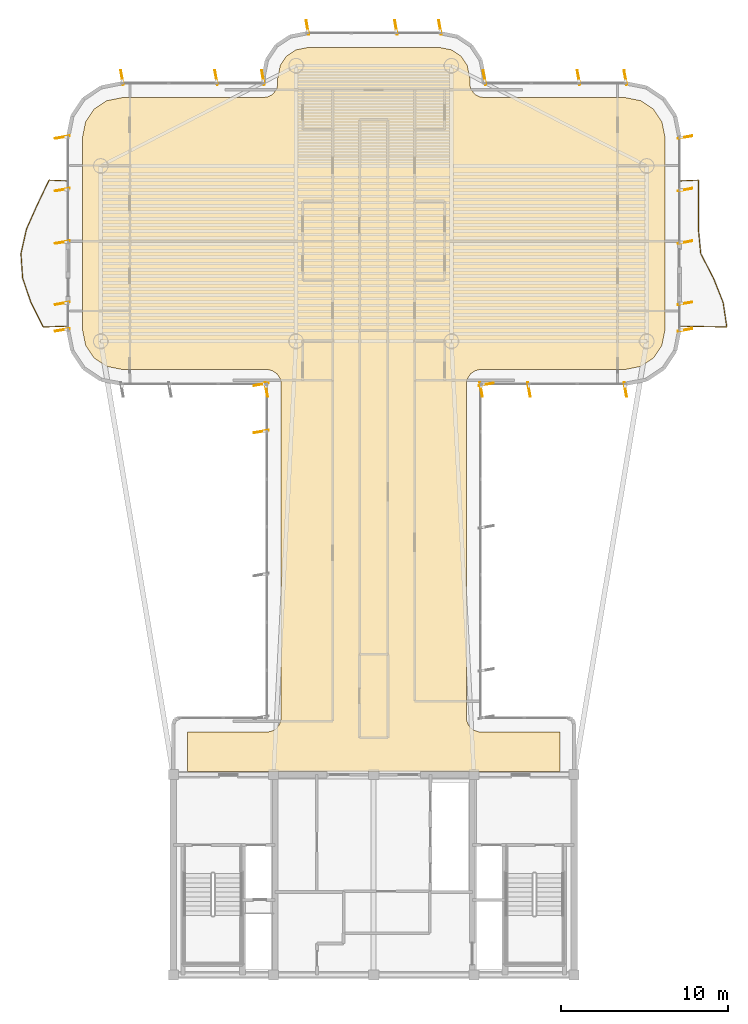
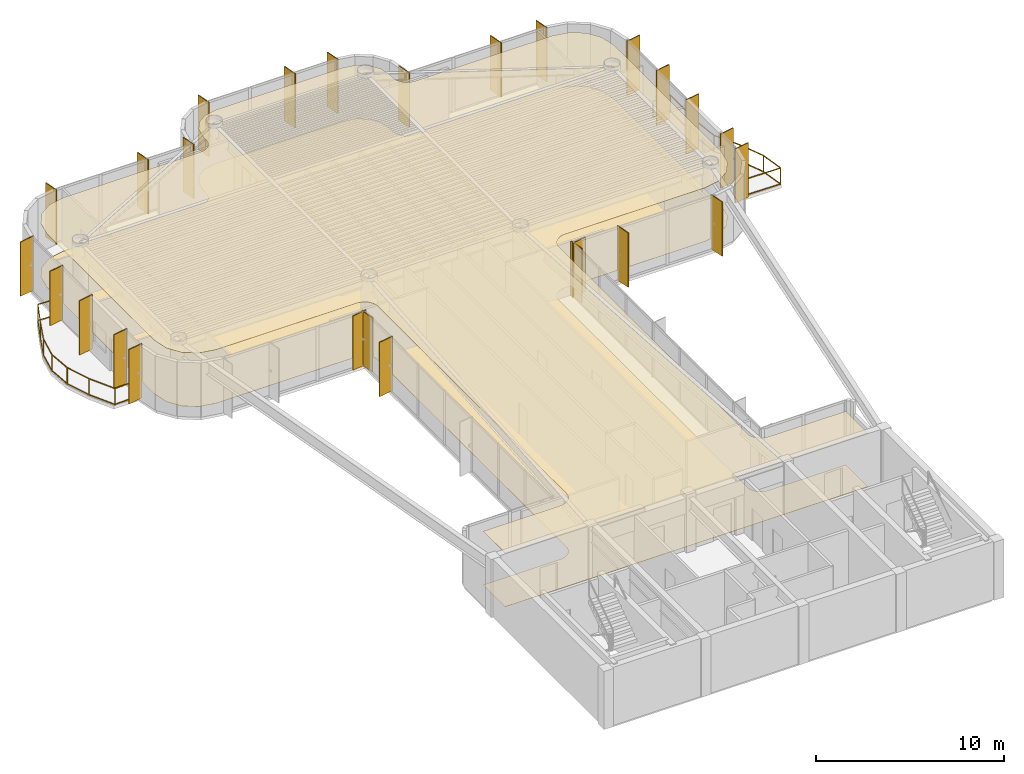
# One storey, part 16 of 16: 26 shading devices, 2 coverings, 2 railings.
"""IFC4 building model written with IfcOpenShell, lengths in metres."""

from ifc_helpers import new_model, si_unit, direction, frame, origin, origin_2d, place, context, subcontext, project, spatial, polyline, rectangle, outline, extrude, source, transform, mapped, material, layer, layer_set, material_profile, profile_set, type_object, element, save


model = new_model("IFC4")

# Units and contexts
model_context = context("Model", 3, precision=1e-05, world=origin(), true_north=direction((0.0, 1.0)))
body_context = subcontext(model_context, "Body", "Model", "MODEL_VIEW")
ifc_project = project(units=[si_unit("LENGTHUNIT", "METRE"), si_unit("AREAUNIT", "SQUARE_METRE"), si_unit("VOLUMEUNIT", "CUBIC_METRE"), si_unit("PLANEANGLEUNIT", "RADIAN"), si_unit("MASSUNIT", "GRAM", prefix="KILO")], contexts=[model_context])

# Site, building, storey
site_placement = place(None, origin())
site = spatial("IfcSite", under=ifc_project, at=site_placement, CompositionType="ELEMENT")
building_placement = place(site_placement, origin())
building = spatial("IfcBuilding", under=site, at=building_placement, Name="Brelvock Crest Care Tower", CompositionType="ELEMENT")
storey_placement = place(building_placement, frame((0.0, 0.0, 230.580078125)))
storey = spatial("IfcBuildingStorey", under=building, at=storey_placement, Name="L58", CompositionType="ELEMENT", Elevation=230.580078125)

# Coverings
ifc_material_1 = material(Name="Mineral Fibre Acoustic Ceiling Tile", Category="gypsum")
ifc_layer_1 = layer(ifc_material_1, 0.02490234375, Name="COV-CLG1")
ifc_layer_set_1 = layer_set([ifc_layer_1], Name="Mineral Fibre Acoustic Ceiling Tile")
covering_type_1 = type_object("IfcCoveringType", Name="COV-CLG1", PredefinedType="CEILING", material=ifc_layer_set_1)
covering_1_placement = place(storey_placement, frame((0.0, 0.0, 3.474853515625)))
element("IfcCovering", 1, at=covering_1_placement, inside=storey, type_object=covering_type_1, Name="L58 Acoustic Suspended Ceiling 1", PredefinedType="CEILING", context=body_context, shape_type="SweptSolid", body=[
    extrude(outline(polyline([(24.85009765625, 18.199951171875), (47.14990234375, 18.199951171875), (47.14990234375, 20.550048828125), (42.316650390625, 20.55419921875), (41.999267578125, 20.650390625), (41.799072265625, 20.799072265625), (41.650390625, 20.999267578125), (41.56640625, 21.234130859375), (41.55419921875, 41.4833984375), (41.61474609375, 41.725341796875), (41.799072265625, 42.0009765625), (42.07470703125, 42.185302734375), (42.316650390625, 42.245849609375), (51.016357421875, 42.25), (51.992919921875, 42.4443359375), (52.75, 42.9501953125), (53.255615234375, 43.70703125), (53.449951171875, 44.68359375), (53.449951171875, 56.1162109375), (53.255615234375, 57.093017578125), (52.75, 57.849853515625), (51.992919921875, 58.355712890625), (51.016357421875, 58.550048828125), (42.60009765625, 58.550048828125), (42.353271484375, 58.586669921875), (42.127685546875, 58.693359375), (41.9990234375, 58.799072265625), (41.814697265625, 59.07470703125), (41.754150390625, 59.316650390625), (41.75, 59.71630859375), (41.601318359375, 60.46337890625), (41.2255859375, 61.025634765625), (40.663330078125, 61.4013671875), (39.916259765625, 61.550048828125), (32.083740234375, 61.550048828125), (31.336669921875, 61.4013671875), (30.7744140625, 61.025634765625), (30.398681640625, 60.46337890625), (30.25, 59.71630859375), (30.245849609375, 59.316650390625), (30.185302734375, 59.07470703125), (30.0009765625, 58.799072265625), (29.872314453125, 58.693359375), (29.646728515625, 58.586669921875), (29.39990234375, 58.550048828125), (20.983642578125, 58.550048828125), (20.007080078125, 58.355712890625), (19.25, 57.849853515625), (18.744384765625, 57.093017578125), (18.550048828125, 56.1162109375), (18.550048828125, 44.68359375), (18.744384765625, 43.70703125), (19.25, 42.9501953125), (20.007080078125, 42.4443359375), (20.983642578125, 42.25), (29.683349609375, 42.245849609375), (29.92529296875, 42.185302734375), (30.200927734375, 42.0009765625), (30.349609375, 41.80078125), (30.43359375, 41.56591796875), (30.449951171875, 21.39990234375), (30.413330078125, 21.1533203125), (30.306640625, 20.927734375), (30.13916015625, 20.742919921875), (29.92529296875, 20.61474609375), (29.683349609375, 20.55419921875), (24.85009765625, 20.550048828125), (24.85009765625, 18.199951171875)])), origin(), (0.0, 0.0, 1.0), 0.025146484375),
])
ifc_material_2 = material(Name="Slip-Resistant Acoustic Vinyl Flooring", Category="finish")
ifc_layer_2 = layer(ifc_material_2, 0.014892578125, Name="COV-FLR1")
ifc_layer_set_2 = layer_set([ifc_layer_2], Name="Slip-Resistant Acoustic Vinyl Flooring")
covering_type_2 = type_object("IfcCoveringType", Name="COV-FLR1", PredefinedType="FLOORING", material=ifc_layer_set_2)
covering_2_placement = place(storey_placement, origin())
element("IfcCovering", 2, at=covering_2_placement, inside=storey, type_object=covering_type_2, Name="L58 Slip-Resistant Acoustic Flooring 1", PredefinedType="FLOORING", context=body_context, shape_type="SweptSolid", body=[
    extrude(outline(polyline([(24.85009765625, 18.199951171875), (47.14990234375, 18.199951171875), (47.14990234375, 20.550048828125), (42.316650390625, 20.55419921875), (41.999267578125, 20.650390625), (41.799072265625, 20.799072265625), (41.650390625, 20.999267578125), (41.56640625, 21.234130859375), (41.55419921875, 41.4833984375), (41.61474609375, 41.725341796875), (41.799072265625, 42.0009765625), (42.07470703125, 42.185302734375), (42.316650390625, 42.245849609375), (51.016357421875, 42.25), (51.992919921875, 42.4443359375), (52.75, 42.9501953125), (53.255615234375, 43.70703125), (53.449951171875, 44.68359375), (53.449951171875, 56.1162109375), (53.255615234375, 57.093017578125), (52.75, 57.849853515625), (51.992919921875, 58.355712890625), (51.016357421875, 58.550048828125), (42.60009765625, 58.550048828125), (42.353271484375, 58.586669921875), (42.127685546875, 58.693359375), (41.9990234375, 58.799072265625), (41.814697265625, 59.07470703125), (41.754150390625, 59.316650390625), (41.75, 59.71630859375), (41.601318359375, 60.46337890625), (41.2255859375, 61.025634765625), (40.663330078125, 61.4013671875), (39.916259765625, 61.550048828125), (32.083740234375, 61.550048828125), (31.336669921875, 61.4013671875), (30.7744140625, 61.025634765625), (30.398681640625, 60.46337890625), (30.25, 59.71630859375), (30.245849609375, 59.316650390625), (30.185302734375, 59.07470703125), (30.0009765625, 58.799072265625), (29.872314453125, 58.693359375), (29.646728515625, 58.586669921875), (29.39990234375, 58.550048828125), (20.983642578125, 58.550048828125), (20.007080078125, 58.355712890625), (19.25, 57.849853515625), (18.744384765625, 57.093017578125), (18.550048828125, 56.1162109375), (18.550048828125, 44.68359375), (18.744384765625, 43.70703125), (19.25, 42.9501953125), (20.007080078125, 42.4443359375), (20.983642578125, 42.25), (29.683349609375, 42.245849609375), (29.92529296875, 42.185302734375), (30.200927734375, 42.0009765625), (30.349609375, 41.80078125), (30.43359375, 41.56591796875), (30.449951171875, 21.39990234375), (30.413330078125, 21.1533203125), (30.306640625, 20.927734375), (30.13916015625, 20.742919921875), (29.92529296875, 20.61474609375), (29.683349609375, 20.55419921875), (24.85009765625, 20.550048828125), (24.85009765625, 18.199951171875)])), origin(), (0.0, 0.0, 1.0), 0.014892578125),
])

# Railings
ifc_material_3 = material(Name="Dark Glass Double Glazed Low-E", Category="glass")
ifc_layer_3 = layer(ifc_material_3, 0.06005859375, Name="RL-BAL1")
ifc_layer_set_3 = layer_set([ifc_layer_3], Name="Dark Glass Double Glazed Low-E")
railing_type = type_object("IfcRailingType", Name="RL-BAL1", PredefinedType="BALUSTRADE", material=ifc_layer_set_3)
railing_1_placement = place(storey_placement, frame((17.659912109375, 44.85009765625, 0.00390625)))
element("IfcRailing", 3, at=railing_1_placement, inside=storey, type_object=railing_type, Name="L58 Safety Balustrade WB-W", PredefinedType="BALUSTRADE", context=body_context, shape_type="SweptSolid", body=[
    extrude(rectangle(XDim=0.048095703125, YDim=0.048095703125, at=origin_2d()), frame((-0.001953125, 0.0, 1.09619140625), z_axis=(-0.999404799616, -0.034497050669, 0.0), x_axis=(0.034497050669, -0.999404799616, 0.0)), (0.0, 0.0, 1.0), 1.44677734375),
    extrude(rectangle(XDim=0.048095703125, YDim=0.048095703125, at=origin_2d()), frame((-0.001953125, 0.0, 0.054931640625), z_axis=(-0.999404799616, -0.034497050669, 0.0), x_axis=(0.034497050669, -0.999404799616, 0.0)), (0.0, 0.0, 1.0), 1.44677734375),
    extrude(rectangle(XDim=0.048095703125, YDim=0.048095703125, at=origin_2d()), frame((-1.450927734375, -0.04833984375, 1.09619140625), z_axis=(-0.448225238773, 0.893920653821, 0.0), x_axis=(-0.893920653821, -0.448225238773, 0.0)), (0.0, 0.0, 1.0), 1.636474609375),
    extrude(rectangle(XDim=0.048095703125, YDim=0.048095703125, at=origin_2d()), frame((-1.450927734375, -0.04833984375, 0.054931640625), z_axis=(-0.448225238773, 0.893920653821, 0.0), x_axis=(-0.893920653821, -0.448225238773, 0.0)), (0.0, 0.0, 1.0), 1.636474609375),
    extrude(rectangle(XDim=0.048095703125, YDim=0.048095703125, at=origin_2d()), frame((-2.18603515625, 1.41845703125, 1.09619140625), z_axis=(-0.321377111723, 0.946951293394, 0.0), x_axis=(-0.946951293394, -0.321377111723, 0.0)), (0.0, 0.0, 1.0), 1.544921875),
    extrude(rectangle(XDim=0.048095703125, YDim=0.048095703125, at=origin_2d()), frame((-2.18603515625, 1.41845703125, 0.054931640625), z_axis=(-0.321377111723, 0.946951293394, 0.0), x_axis=(-0.946951293394, -0.321377111723, 0.0)), (0.0, 0.0, 1.0), 1.544921875),
    extrude(rectangle(XDim=0.048095703125, YDim=0.048095703125, at=origin_2d()), frame((-2.683349609375, 2.88525390625, 1.09619140625), z_axis=(-0.068095275072, 0.997678822825, 0.0), x_axis=(-0.997678822825, -0.068095275072, 0.0)), (0.0, 0.0, 1.0), 1.466064453125),
    extrude(rectangle(XDim=0.048095703125, YDim=0.048095703125, at=origin_2d()), frame((-2.683349609375, 2.88525390625, 0.054931640625), z_axis=(-0.068095275072, 0.997678822825, 0.0), x_axis=(-0.997678822825, -0.068095275072, 0.0)), (0.0, 0.0, 1.0), 1.466064453125),
    extrude(rectangle(XDim=0.048095703125, YDim=0.048095703125, at=origin_2d()), frame((-2.78271484375, 4.351806640625, 1.09619140625), z_axis=(0.219543106889, 0.975602800435, 0.0), x_axis=(-0.975602800435, 0.219543106889, 0.0)), (0.0, 0.0, 1.0), 1.49951171875),
    extrude(rectangle(XDim=0.048095703125, YDim=0.048095703125, at=origin_2d()), frame((-2.78271484375, 4.351806640625, 0.054931640625), z_axis=(0.219543106889, 0.975602800435, 0.0), x_axis=(-0.975602800435, 0.219543106889, 0.0)), (0.0, 0.0, 1.0), 1.49951171875),
    extrude(rectangle(XDim=0.048095703125, YDim=0.048095703125, at=origin_2d()), frame((-2.452392578125, 5.818359375, 1.09619140625), z_axis=(0.407182153329, 0.913346973505, 0.0), x_axis=(-0.913346973505, 0.407182153329, 0.0)), (0.0, 0.0, 1.0), 1.601806640625),
    extrude(rectangle(XDim=0.048095703125, YDim=0.048095703125, at=origin_2d()), frame((-2.452392578125, 5.818359375, 0.054931640625), z_axis=(0.407182153329, 0.913346973505, 0.0), x_axis=(-0.913346973505, 0.407182153329, 0.0)), (0.0, 0.0, 1.0), 1.601806640625),
    extrude(rectangle(XDim=0.048095703125, YDim=0.048095703125, at=origin_2d()), frame((-1.79833984375, 7.284912109375, 1.09619140625), z_axis=(0.430429214624, 0.902624335589, 0.0), x_axis=(-0.902624335589, 0.430429214624, 0.0)), (0.0, 0.0, 1.0), 1.62109375),
    extrude(rectangle(XDim=0.048095703125, YDim=0.048095703125, at=origin_2d()), frame((-1.79833984375, 7.284912109375, 0.054931640625), z_axis=(0.430429214624, 0.902624335589, 0.0), x_axis=(-0.902624335589, 0.430429214624, 0.0)), (0.0, 0.0, 1.0), 1.62109375),
    extrude(rectangle(XDim=0.048095703125, YDim=0.048095703125, at=origin_2d()), frame((-1.097900390625, 8.75, 1.09619140625), z_axis=(0.998966252902, -0.045457953795, 0.0), x_axis=(0.045457953795, 0.998966252902, 0.0)), (0.0, 0.0, 1.0), 1.096923828125),
    extrude(rectangle(XDim=0.048095703125, YDim=0.048095703125, at=origin_2d()), frame((-1.097900390625, 8.75, 0.054931640625), z_axis=(0.998966252902, -0.045457953795, 0.0), x_axis=(0.045457953795, 0.998966252902, 0.0)), (0.0, 0.0, 1.0), 1.096923828125),
    extrude(rectangle(XDim=0.0419921875, YDim=0.0419921875, at=origin_2d()), origin(), (0.0, 0.0, 1.0), 1.070068359375),
    extrude(rectangle(XDim=0.0419921875, YDim=0.0419921875, at=origin_2d()), frame((-1.449951171875, -0.050048828125, 0.0)), (0.0, 0.0, 1.0), 1.070068359375),
    extrude(rectangle(XDim=0.0419921875, YDim=0.0419921875, at=origin_2d()), frame((-2.185302734375, 1.41650390625, 0.0)), (0.0, 0.0, 1.0), 1.070068359375),
    extrude(rectangle(XDim=0.0419921875, YDim=0.0419921875, at=origin_2d()), frame((-2.68310546875, 2.88330078125, 0.0)), (0.0, 0.0, 1.0), 1.070068359375),
    extrude(rectangle(XDim=0.0419921875, YDim=0.0419921875, at=origin_2d()), frame((-2.783203125, 4.349853515625, 0.0)), (0.0, 0.0, 1.0), 1.070068359375),
    extrude(rectangle(XDim=0.0419921875, YDim=0.0419921875, at=origin_2d()), frame((-2.453125, 5.816650390625, 0.0)), (0.0, 0.0, 1.0), 1.070068359375),
    extrude(rectangle(XDim=0.0419921875, YDim=0.0419921875, at=origin_2d()), frame((-1.79931640625, 7.283203125, 0.0)), (0.0, 0.0, 1.0), 1.070068359375),
    extrude(rectangle(XDim=0.0419921875, YDim=0.0419921875, at=origin_2d()), frame((-1.099853515625, 8.75, 0.0)), (0.0, 0.0, 1.0), 1.070068359375),
    extrude(rectangle(XDim=0.0419921875, YDim=0.0419921875, at=origin_2d()), frame((0.0, 8.699951171875, 0.0)), (0.0, 0.0, 1.0), 1.070068359375),
])
railing_2_placement = place(storey_placement, frame((54.340087890625, 44.85009765625, 0.00390625)))
element("IfcRailing", 4, at=railing_2_placement, inside=storey, type_object=railing_type, Name="L58 Safety Balustrade WB-E", PredefinedType="BALUSTRADE", context=body_context, shape_type="SweptSolid", body=[
    extrude(rectangle(XDim=0.048095703125, YDim=0.048095703125, at=origin_2d()), frame((0.001953125, 0.0, 1.09619140625), z_axis=(0.99984026566, -0.017872973008, 0.0), x_axis=(0.017872973008, 0.99984026566, 0.0)), (0.0, 0.0, 1.0), 2.796142578125),
    extrude(rectangle(XDim=0.048095703125, YDim=0.048095703125, at=origin_2d()), frame((0.001953125, 0.0, 0.054931640625), z_axis=(0.99984026566, -0.017872973008, 0.0), x_axis=(0.017872973008, 0.99984026566, 0.0)), (0.0, 0.0, 1.0), 2.796142578125),
    extrude(rectangle(XDim=0.048095703125, YDim=0.048095703125, at=origin_2d()), frame((2.799560546875, -0.048095703125, 1.09619140625), z_axis=(-0.146882849114, 0.989153895325, 0.0), x_axis=(-0.989153895325, -0.146882849114, 0.0)), (0.0, 0.0, 1.0), 1.478515625),
    extrude(rectangle(XDim=0.048095703125, YDim=0.048095703125, at=origin_2d()), frame((2.799560546875, -0.048095703125, 0.054931640625), z_axis=(-0.146882849114, 0.989153895325, 0.0), x_axis=(-0.989153895325, -0.146882849114, 0.0)), (0.0, 0.0, 1.0), 1.478515625),
    extrude(rectangle(XDim=0.048095703125, YDim=0.048095703125, at=origin_2d()), frame((2.581298828125, 1.41845703125, 1.09619140625), z_axis=(-0.36936302047, 0.929285187179, 0.0), x_axis=(-0.929285187179, -0.36936302047, 0.0)), (0.0, 0.0, 1.0), 1.574462890625),
    extrude(rectangle(XDim=0.048095703125, YDim=0.048095703125, at=origin_2d()), frame((2.581298828125, 1.41845703125, 0.054931640625), z_axis=(-0.36936302047, 0.929285187179, 0.0), x_axis=(-0.929285187179, -0.36936302047, 0.0)), (0.0, 0.0, 1.0), 1.574462890625),
    extrude(rectangle(XDim=0.048095703125, YDim=0.048095703125, at=origin_2d()), frame((1.998046875, 2.885009765625, 1.09619140625), z_axis=(-0.460230882472, 0.887799264935, 0.0), x_axis=(-0.887799264935, -0.460230882472, 0.0)), (0.0, 0.0, 1.0), 1.64794921875),
    extrude(rectangle(XDim=0.048095703125, YDim=0.048095703125, at=origin_2d()), frame((1.998046875, 2.885009765625, 0.054931640625), z_axis=(-0.460230882472, 0.887799264935, 0.0), x_axis=(-0.887799264935, -0.460230882472, 0.0)), (0.0, 0.0, 1.0), 1.64794921875),
    extrude(rectangle(XDim=0.048095703125, YDim=0.048095703125, at=origin_2d()), frame((1.238525390625, 4.351806640625, 1.09619140625), z_axis=(-0.094285159279, 0.99554523189, 0.0), x_axis=(-0.99554523189, -0.094285159279, 0.0)), (0.0, 0.0, 1.0), 1.469482421875),
    extrude(rectangle(XDim=0.048095703125, YDim=0.048095703125, at=origin_2d()), frame((1.238525390625, 4.351806640625, 0.054931640625), z_axis=(-0.094285159279, 0.99554523189, 0.0), x_axis=(-0.99554523189, -0.094285159279, 0.0)), (0.0, 0.0, 1.0), 1.469482421875),
    extrude(rectangle(XDim=0.048095703125, YDim=0.048095703125, at=origin_2d()), frame((1.099853515625, 5.818603515625, 1.09619140625), z_axis=(0.0, 1.0, 0.0), x_axis=(-1.0, 0.0, 0.0)), (0.0, 0.0, 1.0), 2.929443359375),
    extrude(rectangle(XDim=0.048095703125, YDim=0.048095703125, at=origin_2d()), frame((1.099853515625, 5.818603515625, 0.054931640625), z_axis=(0.0, 1.0, 0.0), x_axis=(-1.0, 0.0, 0.0)), (0.0, 0.0, 1.0), 2.929443359375),
    extrude(rectangle(XDim=0.048095703125, YDim=0.048095703125, at=origin_2d()), frame((1.097900390625, 8.75, 1.09619140625), z_axis=(-0.998966252902, -0.045457953795, 0.0), x_axis=(0.045457953795, -0.998966252902, 0.0)), (0.0, 0.0, 1.0), 1.096923828125),
    extrude(rectangle(XDim=0.048095703125, YDim=0.048095703125, at=origin_2d()), frame((1.097900390625, 8.75, 0.054931640625), z_axis=(-0.998966252902, -0.045457953795, 0.0), x_axis=(0.045457953795, -0.998966252902, 0.0)), (0.0, 0.0, 1.0), 1.096923828125),
    extrude(rectangle(XDim=0.0419921875, YDim=0.0419921875, at=origin_2d()), origin(), (0.0, 0.0, 1.0), 1.070068359375),
    extrude(rectangle(XDim=0.0419921875, YDim=0.0419921875, at=origin_2d()), frame((2.7998046875, -0.050048828125, 0.0)), (0.0, 0.0, 1.0), 1.070068359375),
    extrude(rectangle(XDim=0.0419921875, YDim=0.0419921875, at=origin_2d()), frame((2.58203125, 1.41650390625, 0.0)), (0.0, 0.0, 1.0), 1.070068359375),
    extrude(rectangle(XDim=0.0419921875, YDim=0.0419921875, at=origin_2d()), frame((1.9990234375, 2.88330078125, 0.0)), (0.0, 0.0, 1.0), 1.070068359375),
    extrude(rectangle(XDim=0.0419921875, YDim=0.0419921875, at=origin_2d()), frame((1.23876953125, 4.349853515625, 0.0)), (0.0, 0.0, 1.0), 1.070068359375),
    extrude(rectangle(XDim=0.0419921875, YDim=0.0419921875, at=origin_2d()), frame((1.099853515625, 5.816650390625, 0.0)), (0.0, 0.0, 1.0), 1.070068359375),
    extrude(rectangle(XDim=0.0419921875, YDim=0.0419921875, at=origin_2d()), frame((1.099853515625, 8.75, 0.0)), (0.0, 0.0, 1.0), 1.070068359375),
    extrude(rectangle(XDim=0.0419921875, YDim=0.0419921875, at=origin_2d()), frame((0.0, 8.699951171875, 0.0)), (0.0, 0.0, 1.0), 1.070068359375),
])

# Shading devices
ifc_material_4 = material(Name="Aluminium 6063-T6", Category="aluminium")
ifc_material_profile = material_profile(ifc_material_4, rectangle(XDim=0.054931640625, YDim=0.89990234375, at=origin_2d()), Name="FIN55x900")
ifc_profile_set = profile_set([ifc_material_profile], Name="Aluminium 6063-T6")
shading_device_type = type_object("IfcShadingDeviceType", Name="SHD-FIN1", PredefinedType="USERDEFINED", material=ifc_profile_set)
shared_shape = source(origin(), body_context, "Body", "SweptSolid", [
    extrude(rectangle(XDim=0.054931640625, YDim=0.89990234375, at=origin_2d()), origin(), (0.0, 0.0, 1.0), 3.530029296875),
])
for number, where, z_axis, x_axis, name in (
    (5, (29.260009765625, 38.54296875, 0.0), (0.0, 0.0, 1.0), (-0.173648177667, 0.984807753012, 0.0), "L58 Vertical Sunshade Fin E11-07"),
    (6, (29.260009765625, 41.3701171875, 0.0), (0.0, 0.0, 1.0), (-0.173648177667, 0.984807753012, 0.0), "L58 Vertical Sunshade Fin E11-08"),
    (7, (29.570068359375, 41.06005859375, 0.0), (0.0, 0.0, 1.0), (-0.984807753012, -0.173648177667, 0.0), "L58 Vertical Sunshade Fin E12-01"),
    (8, (17.360107421875, 44.6298828125, 0.0), (0.0, 0.0, 1.0), (-0.173648177667, 0.984807753012, 0.0), "L58 Vertical Sunshade Fin E17A-01"),
    (9, (17.360107421875, 46.219970703125, 0.0), (0.0, 0.0, 1.0), (-0.173648177667, 0.984807753012, 0.0), "L58 Vertical Sunshade Fin E17A-02"),
    (10, (17.360107421875, 49.8798828125, 0.0), (0.0, 0.0, 1.0), (-0.173648177667, 0.984807753012, 0.0), "L58 Vertical Sunshade Fin E17B-01"),
    (11, (17.360107421875, 53.02490234375, 0.0), (0.0, 0.0, 1.0), (-0.173648177667, 0.984807753012, 0.0), "L58 Vertical Sunshade Fin E17B-02"),
    (12, (17.360107421875, 56.169921875, 0.0), (0.0, 0.0, 1.0), (-0.173648177667, 0.984807753012, 0.0), "L58 Vertical Sunshade Fin E17B-03"),
    (13, (20.929931640625, 59.739990234375, 0.0), (0.0, 0.0, 1.0), (0.984807753012, 0.173648177667, 0.0), "L58 Vertical Sunshade Fin E22-01"),
    (14, (26.566650390625, 59.739990234375, 0.0), (0.0, 0.0, 1.0), (0.984807753012, 0.173648177667, 0.0), "L58 Vertical Sunshade Fin E22-03"),
    (15, (29.3701171875, 59.739990234375, 0.0), (0.0, 0.0, 1.0), (0.984807753012, 0.173648177667, 0.0), "L58 Vertical Sunshade Fin E22-04"),
    (16, (32.030029296875, 62.739990234375, 0.0), (0.0, 0.0, 1.0), (0.984807753012, 0.173648177667, 0.0), "L58 Vertical Sunshade Fin E28-01"),
    (17, (37.333251953125, 62.739990234375, 0.0), (0.0, 0.0, 1.0), (0.984807753012, 0.173648177667, 0.0), "L58 Vertical Sunshade Fin E28-03"),
    (18, (39.969970703125, 62.739990234375, 0.0), (0.0, 0.0, 1.0), (0.984807753012, 0.173648177667, 0.0), "L58 Vertical Sunshade Fin E28-04"),
    (19, (42.6298828125, 59.739990234375, 0.0), (0.0, 0.0, 1.0), (0.984807753012, 0.173648177667, 0.0), "L58 Vertical Sunshade Fin E34-01"),
    (20, (48.2666015625, 59.739990234375, 0.0), (0.0, 0.0, 1.0), (0.984807753012, 0.173648177667, 0.0), "L58 Vertical Sunshade Fin E34-03"),
    (21, (51.070068359375, 59.739990234375, 0.0), (0.0, 0.0, 1.0), (0.984807753012, 0.173648177667, 0.0), "L58 Vertical Sunshade Fin E34-04"),
    (22, (54.639892578125, 56.169921875, 0.0), (0.0, 0.0, 1.0), (0.173648177667, -0.984807753012, 0.0), "L58 Vertical Sunshade Fin E39A-01"),
    (23, (54.639892578125, 53.02490234375, 0.0), (0.0, 0.0, 1.0), (0.173648177667, -0.984807753012, 0.0), "L58 Vertical Sunshade Fin E39A-02"),
    (24, (54.639892578125, 49.8798828125, 0.0), (0.0, 0.0, 1.0), (0.173648177667, -0.984807753012, 0.0), "L58 Vertical Sunshade Fin E39A-03"),
    (25, (54.639892578125, 46.219970703125, 0.0), (0.0, 0.0, 1.0), (0.173648177667, -0.984807753012, 0.0), "L58 Vertical Sunshade Fin E39B-01"),
    (26, (54.639892578125, 44.6298828125, 0.0), (0.0, 0.0, 1.0), (0.173648177667, -0.984807753012, 0.0), "L58 Vertical Sunshade Fin E39B-02"),
    (27, (51.070068359375, 41.06005859375, 0.0), (0.0, 0.0, 1.0), (-0.984807753012, -0.173648177667, 0.0), "L58 Vertical Sunshade Fin E44-01"),
    (28, (45.300048828125, 41.06005859375, 0.0), (0.0, 0.0, 1.0), (-0.984807753012, -0.173648177667, 0.0), "L58 Vertical Sunshade Fin E44-03"),
    (29, (42.429931640625, 41.06005859375, 0.0), (0.0, 0.0, 1.0), (-0.984807753012, -0.173648177667, 0.0), "L58 Vertical Sunshade Fin E44-04"),
    (30, (42.739990234375, 41.3701171875, 0.0), (0.0, 0.0, 1.0), (0.173648177667, -0.984807753012, 0.0), "L58 Vertical Sunshade Fin E45-01"),
):
    element("IfcShadingDevice", number, at=place(storey_placement, frame(where, z_axis=z_axis, x_axis=x_axis)), inside=storey, type_object=shading_device_type, Name=name, ObjectType="FIN", PredefinedType="USERDEFINED", context=body_context, shape_type="MappedRepresentation", body=[
        mapped(shared_shape, transform((0.0, 0.0, 0.0), x_axis=(1.0, 0.0, 0.0), y_axis=(0.0, 1.0, 0.0), z_axis=(0.0, 0.0, 1.0), scale=1.0)),
    ])

save(model, "model.ifc")
